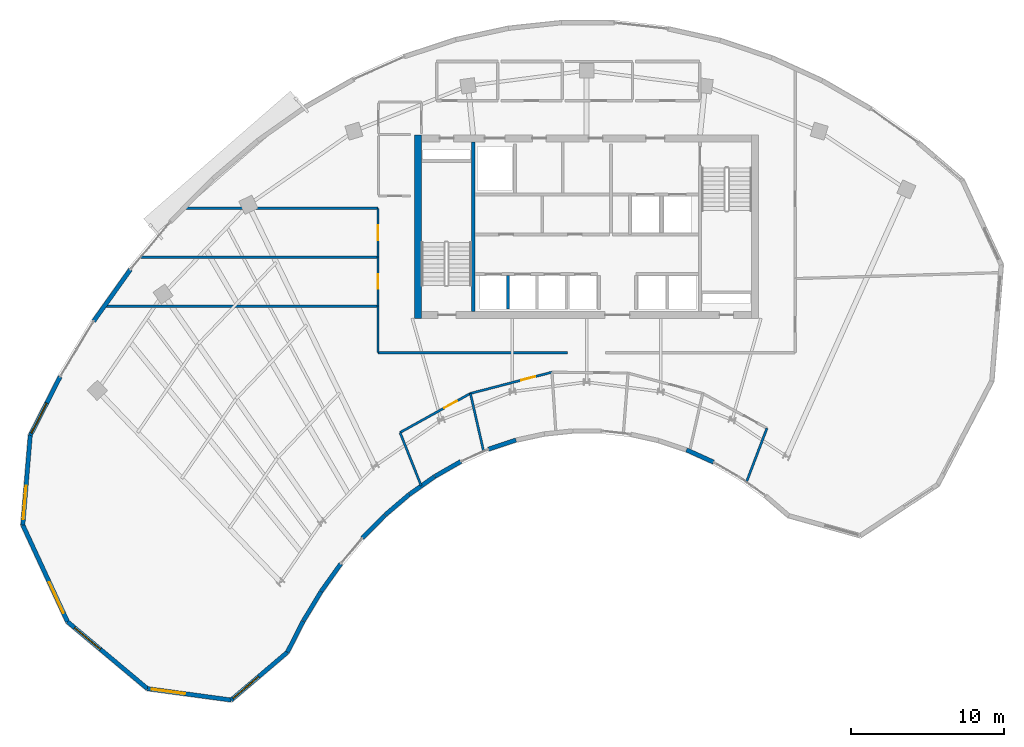
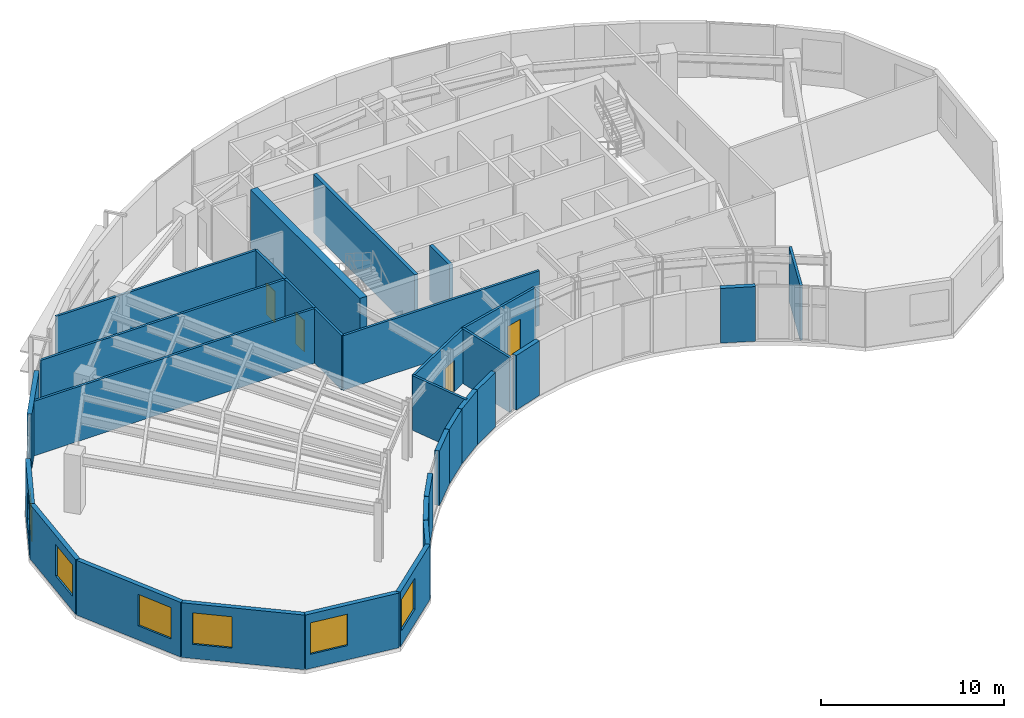
# One storey, part 7 of 12: 31 walls, 6 windows, 4 doors, 10 openings.
"""IFC4 building model written with IfcOpenShell, lengths in metres."""

from ifc_helpers import new_model, si_unit, direction, frame, frame_2d, origin, place, context, subcontext, project, spatial, rectangle, extrude, source, transform, mapped, material, layer, layer_set, type_object, type_shapes, element, fill, save


model = new_model("IFC4")

# Units and contexts
model_context = context("Model", 3, precision=1e-05, world=origin(), true_north=direction((0.0, 1.0)))
body_context = subcontext(model_context, "Body", "Model", "MODEL_VIEW")
ifc_project = project(units=[si_unit("LENGTHUNIT", "METRE"), si_unit("AREAUNIT", "SQUARE_METRE"), si_unit("VOLUMEUNIT", "CUBIC_METRE"), si_unit("PLANEANGLEUNIT", "RADIAN"), si_unit("MASSUNIT", "GRAM", prefix="KILO")], contexts=[model_context])

# Site, building, storey
site_placement = place(None, origin())
site = spatial("IfcSite", under=ifc_project, at=site_placement, CompositionType="ELEMENT")
building_placement = place(site_placement, origin())
building = spatial("IfcBuilding", under=site, at=building_placement, Name="Breltana Convention Tower", CompositionType="ELEMENT")
storey_placement = place(building_placement, frame((0.0, 0.0, 235.199951171875)))
storey = spatial("IfcBuildingStorey", under=building, at=storey_placement, Name="L57", CompositionType="ELEMENT", Elevation=235.199951171875)

# Walls
ifc_material_1 = material(Name="Concrete C60/75", Category="concrete")
ifc_layer_1 = layer(ifc_material_1, 0.449951171875, Name="Concrete C60/75")
ifc_layer_set_1 = layer_set([ifc_layer_1], Name="Concrete C60/75")
wall_type_1 = type_object("IfcWallType", Name="SW-CORE-450", PredefinedType="SHEAR", material=ifc_layer_set_1)
shared_shape_1 = source(origin(), body_context, "Body", "SweptSolid", [
    extrude(rectangle(XDim=12.0, YDim=0.449951171875, at=frame_2d((6.0, 0.0))), origin(), (0.0, 0.0, 1.0), 3.900146484375),
])
wall_1_placement = place(storey_placement, frame((36.97509765625, 60.199951171875, 0.0), z_axis=(0.0, 0.0, 1.0), x_axis=(0.0, 1.0, 0.0)))
element("IfcWall", 1, at=wall_1_placement, inside=storey, type_object=wall_type_1, Name="L57 West Core Shear Wall", PredefinedType="SHEAR", context=body_context, shape_type="MappedRepresentation", body=[
    mapped(shared_shape_1, transform((0.0, 0.0, 0.0), scale=1.0)),
])
ifc_material_2 = material(Name="Concrete C50/60", Category="concrete")
ifc_layer_2 = layer(ifc_material_2, 0.39990234375, Name="Concrete C50/60")
ifc_layer_set_2 = layer_set([ifc_layer_2], Name="Concrete C50/60")
wall_type_2 = type_object("IfcWallType", Name="SW-CORE-400", PredefinedType="SHEAR", material=ifc_layer_set_2)
shared_shape_2 = source(origin(), body_context, "Body", "SweptSolid", [
    extrude(rectangle(XDim=11.10009765625, YDim=0.219970703125, at=frame_2d((5.550048828125, 0.0))), origin(), (0.0, 0.0, 1.0), 3.900146484375),
])
wall_2_placement = place(storey_placement, frame((40.580078125, 60.64990234375, 0.0), z_axis=(0.0, 0.0, 1.0), x_axis=(0.0, 1.0, 0.0)))
element("IfcWall", 2, at=wall_2_placement, inside=storey, type_object=wall_type_2, Name="L57 Core West Stair Spine Wall", PredefinedType="SHEAR", context=body_context, shape_type="MappedRepresentation", body=[
    mapped(shared_shape_2, transform((0.0, 0.0, 0.0), scale=1.0)),
])
ifc_material_3 = material(Name="Limestone Buff Insulated Wall", Category="masonry")
ifc_layer_3 = layer(ifc_material_3, 0.280029296875, Name="Limestone Buff Insulated Wall")
ifc_layer_set_3 = layer_set([ifc_layer_3], Name="Limestone Buff Insulated Wall")
wall_type_3 = type_object("IfcWallType", Name="WL-EXT-NOSE-280", PredefinedType="SOLIDWALL", material=ifc_layer_set_3)
shared_shape_3 = source(origin(), body_context, "Body", "SweptSolid", [
    extrude(rectangle(XDim=1.932861328125, YDim=0.280029296875, at=frame_2d((0.96630859375, 0.0))), origin(), (0.0, 0.0, 1.0), 3.650146484375),
])
wall_3_placement = place(storey_placement, frame((56.2998046875, 50.802001953125, 0.0), z_axis=(0.0, 0.0, 1.0), x_axis=(-0.910478916145, 0.413555489936, 0.0)))
element("IfcWall", 3, at=wall_3_placement, inside=storey, type_object=wall_type_3, Name="L57 curved limestone nose wall E7", PredefinedType="SOLIDWALL", context=body_context, shape_type="MappedRepresentation", body=[
    mapped(shared_shape_3, transform((0.0, 0.0, 0.0), scale=1.0)),
])
shared_shape_4 = source(origin(), body_context, "Body", "SweptSolid", [
    extrude(rectangle(XDim=1.899658203125, YDim=0.280029296875, at=frame_2d((0.94970703125, 0.0))), origin(), (0.0, 0.0, 1.0), 3.650146484375),
])
wall_4_placement = place(storey_placement, frame((43.378173828125, 52.240966796875, 0.0), z_axis=(0.0, 0.0, 1.0), x_axis=(-0.949693643068, -0.313180434121, 0.0)))
element("IfcWall", 4, at=wall_4_placement, inside=storey, type_object=wall_type_3, Name="L57 curved limestone nose wall E13", PredefinedType="SOLIDWALL", context=body_context, shape_type="MappedRepresentation", body=[
    mapped(shared_shape_4, transform((0.0, 0.0, 0.0), scale=1.0)),
])
shared_shape_5 = source(origin(), body_context, "Body", "SweptSolid", [
    extrude(rectangle(XDim=1.968994140625, YDim=0.280029296875, at=frame_2d((0.984375, 0.0))), origin(), (0.0, 0.0, 1.0), 3.650146484375),
])
wall_5_placement = place(storey_placement, frame((39.77880859375, 50.84228515625, 0.0), z_axis=(0.0, 0.0, 1.0), x_axis=(-0.86797594681, -0.496606238139, 0.0)))
element("IfcWall", 5, at=wall_5_placement, inside=storey, type_object=wall_type_3, Name="L57 curved limestone nose wall E14", PredefinedType="SOLIDWALL", context=body_context, shape_type="MappedRepresentation", body=[
    mapped(shared_shape_5, transform((0.0, 0.0, 0.0), scale=1.0)),
])
shared_shape_6 = source(origin(), body_context, "Body", "SweptSolid", [
    extrude(rectangle(XDim=2.011962890625, YDim=0.280029296875, at=frame_2d((1.005859375, 0.0))), origin(), (0.0, 0.0, 1.0), 3.650146484375),
])
wall_6_placement = place(storey_placement, frame((38.055419921875, 49.855224609375, 0.0), z_axis=(0.0, 0.0, 1.0), x_axis=(-0.817008215805, -0.576626027255, 0.0)))
element("IfcWall", 6, at=wall_6_placement, inside=storey, type_object=wall_type_3, Name="L57 curved limestone nose wall E15", PredefinedType="SOLIDWALL", context=body_context, shape_type="MappedRepresentation", body=[
    mapped(shared_shape_6, transform((0.0, 0.0, 0.0), scale=1.0)),
])
shared_shape_7 = source(origin(), body_context, "Body", "SweptSolid", [
    extrude(rectangle(XDim=2.0595703125, YDim=0.280029296875, at=frame_2d((1.02978515625, 0.0))), origin(), (0.0, 0.0, 1.0), 3.650146484375),
])
wall_7_placement = place(storey_placement, frame((36.398681640625, 48.68505859375, 0.0), z_axis=(0.0, 0.0, 1.0), x_axis=(-0.761494573969, -0.648171284319, 0.0)))
element("IfcWall", 7, at=wall_7_placement, inside=storey, type_object=wall_type_3, Name="L57 curved limestone nose wall E16", PredefinedType="SOLIDWALL", context=body_context, shape_type="MappedRepresentation", body=[
    mapped(shared_shape_7, transform((0.0, 0.0, 0.0), scale=1.0)),
])
shared_shape_8 = source(origin(), body_context, "Body", "SweptSolid", [
    extrude(rectangle(XDim=2.109619140625, YDim=0.280029296875, at=frame_2d((1.0546875, 0.0))), origin(), (0.0, 0.0, 1.0), 3.650146484375),
])
wall_8_placement = place(storey_placement, frame((34.819091796875, 47.339599609375, 0.0), z_axis=(0.0, 0.0, 1.0), x_axis=(-0.702695473125, -0.711490739258, 0.0)))
element("IfcWall", 8, at=wall_8_placement, inside=storey, type_object=wall_type_3, Name="L57 curved limestone nose wall E17", PredefinedType="SOLIDWALL", context=body_context, shape_type="MappedRepresentation", body=[
    mapped(shared_shape_8, transform((0.0, 0.0, 0.0), scale=1.0)),
])
shared_shape_9 = source(origin(), body_context, "Body", "SweptSolid", [
    extrude(rectangle(XDim=2.211669921875, YDim=0.280029296875, at=frame_2d((1.10595703125, 0.0))), origin(), (0.0, 0.0, 1.0), 3.650146484375),
])
wall_9_placement = place(storey_placement, frame((31.931396484375, 44.159423828125, 0.0), z_axis=(0.0, 0.0, 1.0), x_axis=(-0.579639452819, -0.814873060504, 0.0)))
element("IfcWall", 9, at=wall_9_placement, inside=storey, type_object=wall_type_3, Name="L57 curved limestone nose wall E18", PredefinedType="SOLIDWALL", context=body_context, shape_type="MappedRepresentation", body=[
    mapped(shared_shape_9, transform((0.0, 0.0, 0.0), scale=1.0)),
])
shared_shape_10 = source(origin(), body_context, "Body", "SweptSolid", [
    extrude(rectangle(XDim=2.260986328125, YDim=0.280029296875, at=frame_2d((1.13037109375, 0.0))), origin(), (0.0, 0.0, 1.0), 3.650146484375),
])
wall_10_placement = place(storey_placement, frame((30.64208984375, 42.345703125, 0.0), z_axis=(0.0, 0.0, 1.0), x_axis=(-0.516891494538, -0.856050923062, 0.0)))
element("IfcWall", 10, at=wall_10_placement, inside=storey, type_object=wall_type_3, Name="L57 curved limestone nose wall E19", PredefinedType="SOLIDWALL", context=body_context, shape_type="MappedRepresentation", body=[
    mapped(shared_shape_10, transform((0.0, 0.0, 0.0), scale=1.0)),
])
shared_shape_11 = source(origin(), body_context, "Body", "SweptSolid", [
    extrude(rectangle(XDim=2.271484375, YDim=0.280029296875, at=frame_2d((1.1357421875, 0.0))), origin(), (0.0, 0.0, 1.0), 3.650146484375),
])
wall_11_placement = place(storey_placement, frame((29.467041015625, 40.39892578125, 0.0), z_axis=(0.0, 0.0, 1.0), x_axis=(-0.453993402883, -0.891005044957, 0.0)))
element("IfcWall", 11, at=wall_11_placement, inside=storey, type_object=wall_type_3, Name="L57 curved limestone nose wall W1", PredefinedType="SOLIDWALL", context=body_context, shape_type="MappedRepresentation", body=[
    mapped(shared_shape_11, transform((0.0, 0.0, 0.0), scale=1.0)),
])

# Wall, opening, window
shared_shape_12 = source(origin(), body_context, "Body", "SweptSolid", [
    extrude(rectangle(XDim=4.830078125, YDim=0.280029296875, at=frame_2d((2.4150390625, 0.0))), origin(), (0.0, 0.0, 1.0), 3.650146484375),
])
wall_12_placement = place(storey_placement, frame((28.435791015625, 38.375, 0.0), z_axis=(0.0, 0.0, 1.0), x_axis=(-0.761890676316, -0.647705640968, 0.0)))
wall_12 = element("IfcWall", 12, at=wall_12_placement, inside=storey, type_object=wall_type_3, Name="L57 curved limestone nose wall W2", PredefinedType="SOLIDWALL", context=body_context, shape_type="MappedRepresentation", body=[
    mapped(shared_shape_12, transform((0.0, 0.0, 0.0), scale=1.0)),
])
opening_1_placement = place(wall_12_placement, frame((2.4697265625, 0.0, 0.949951171875)))
opening_1 = element("IfcOpeningElement", 13, at=opening_1_placement, cuts=wall_12, Name="Opening W-03", PredefinedType="OPENING", context=body_context, shape_type="SweptSolid", body=[
    extrude(rectangle(XDim=2.199951171875, YDim=2.10009765625, at=frame_2d((1.10009765625, 1.050048828125))), frame((0.0, 0.14990234375, 0.0), z_axis=(0.0, -1.0, 0.0), x_axis=(1.0, 0.0, 0.0)), (0.0, 0.0, 1.0), 0.300048828125),
])
ifc_material_4 = material(Name="Glass Low-E Insulated Window", Category="glass")
window_type = type_object("IfcWindowType", Name="WN-NOSE-2200X2100", PartitioningType="TRIPLE_PANEL_VERTICAL", PredefinedType="WINDOW", material=ifc_material_4)
shared_shape_13 = source(origin(), body_context, "Body", "SweptSolid", [
    extrude(rectangle(XDim=2.199951171875, YDim=2.10009765625, at=frame_2d((1.10009765625, 1.050048828125))), frame((0.0, 0.030029296875, 0.0), z_axis=(0.0, -1.0, 0.0), x_axis=(1.0, 0.0, 0.0)), (0.0, 0.0, 1.0), 0.06005859375),
])
type_shapes(window_type, [shared_shape_13])
window_1_placement = place(opening_1_placement, origin())
window_1 = element("IfcWindow", 14, at=window_1_placement, inside=storey, type_object=window_type, Name="L57 nose window W2", OverallHeight=2.10009765625, OverallWidth=2.199951171875, PartitioningType="TRIPLE_PANEL_VERTICAL", PredefinedType="WINDOW", context=body_context, shape_type="MappedRepresentation", body=[
    mapped(shared_shape_13, transform((0.0, 0.0, 0.0), scale=1.0)),
])
fill(opening_1, window_1)

shared_shape_14 = source(origin(), body_context, "Body", "SweptSolid", [
    extrude(rectangle(XDim=5.51953125, YDim=0.280029296875, at=frame_2d((2.759765625, 0.0))), origin(), (0.0, 0.0, 1.0), 3.650146484375),
])
wall_13_placement = place(storey_placement, frame((24.755859375, 35.24658203125, 0.0), z_axis=(0.0, 0.0, 1.0), x_axis=(-0.99093029136, 0.134376923856, 0.0)))
wall_13 = element("IfcWall", 15, at=wall_13_placement, inside=storey, type_object=wall_type_3, Name="L57 curved limestone nose wall W3", PredefinedType="SOLIDWALL", context=body_context, shape_type="MappedRepresentation", body=[
    mapped(shared_shape_14, transform((0.0, 0.0, 0.0), scale=1.0)),
])
opening_2_placement = place(wall_13_placement, frame((3.039794921875, 0.0, 0.949951171875)))
opening_2 = element("IfcOpeningElement", 16, at=opening_2_placement, cuts=wall_13, Name="Opening W-03", PredefinedType="OPENING", context=body_context, shape_type="SweptSolid", body=[
    extrude(rectangle(XDim=2.199951171875, YDim=2.10009765625, at=frame_2d((1.10009765625, 1.050048828125))), frame((0.0, 0.14990234375, 0.0), z_axis=(0.0, -1.0, 0.0), x_axis=(1.0, 0.0, 0.0)), (0.0, 0.0, 1.0), 0.300048828125),
])
window_2_placement = place(opening_2_placement, origin())
window_2 = element("IfcWindow", 17, at=window_2_placement, inside=storey, type_object=window_type, Name="L57 nose window W3", OverallHeight=2.10009765625, OverallWidth=2.199951171875, PartitioningType="TRIPLE_PANEL_VERTICAL", PredefinedType="WINDOW", context=body_context, shape_type="MappedRepresentation", body=[
    mapped(shared_shape_13, transform((0.0, 0.0, 0.0), scale=1.0)),
])
fill(opening_2, window_2)

shared_shape_15 = source(origin(), body_context, "Body", "SweptSolid", [
    extrude(rectangle(XDim=6.81201171875, YDim=0.280029296875, at=frame_2d((3.406005859375, 0.0))), origin(), (0.0, 0.0, 1.0), 3.650146484375),
])
wall_14_placement = place(storey_placement, frame((19.286376953125, 35.98828125, 0.0), z_axis=(0.0, 0.0, 1.0), x_axis=(-0.766712133953, 0.641991046394, 0.0)))
wall_14 = element("IfcWall", 18, at=wall_14_placement, inside=storey, type_object=wall_type_3, Name="L57 curved limestone nose wall W4", PredefinedType="SOLIDWALL", context=body_context, shape_type="MappedRepresentation", body=[
    mapped(shared_shape_15, transform((0.0, 0.0, 0.0), scale=1.0)),
])
opening_3_placement = place(wall_14_placement, frame((4.009033203125, 0.0, 0.949951171875)))
opening_3 = element("IfcOpeningElement", 19, at=opening_3_placement, cuts=wall_14, Name="Opening W-03", PredefinedType="OPENING", context=body_context, shape_type="SweptSolid", body=[
    extrude(rectangle(XDim=2.199951171875, YDim=2.10009765625, at=frame_2d((1.10009765625, 1.050048828125))), frame((0.0, 0.14990234375, 0.0), z_axis=(0.0, -1.0, 0.0), x_axis=(1.0, 0.0, 0.0)), (0.0, 0.0, 1.0), 0.300048828125),
])
window_3_placement = place(opening_3_placement, origin())
window_3 = element("IfcWindow", 20, at=window_3_placement, inside=storey, type_object=window_type, Name="L57 nose window W4", OverallHeight=2.10009765625, OverallWidth=2.199951171875, PartitioningType="TRIPLE_PANEL_VERTICAL", PredefinedType="WINDOW", context=body_context, shape_type="MappedRepresentation", body=[
    mapped(shared_shape_13, transform((0.0, 0.0, 0.0), scale=1.0)),
])
fill(opening_3, window_3)

shared_shape_16 = source(origin(), body_context, "Body", "SweptSolid", [
    extrude(rectangle(XDim=6.976806640625, YDim=0.280029296875, at=frame_2d((3.48828125, 0.0))), origin(), (0.0, 0.0, 1.0), 3.650146484375),
])
wall_15_placement = place(storey_placement, frame((14.0634765625, 40.361572265625, 0.0), z_axis=(0.0, 0.0, 1.0), x_axis=(-0.41966832263, 0.907677530283, 0.0)))
wall_15 = element("IfcWall", 21, at=wall_15_placement, inside=storey, type_object=wall_type_3, Name="L57 curved limestone nose wall W5", PredefinedType="SOLIDWALL", context=body_context, shape_type="MappedRepresentation", body=[
    mapped(shared_shape_16, transform((0.0, 0.0, 0.0), scale=1.0)),
])
opening_4_placement = place(wall_15_placement, frame((0.644287109375, 0.0, 0.949951171875)))
opening_4 = element("IfcOpeningElement", 22, at=opening_4_placement, cuts=wall_15, Name="Opening W-03", PredefinedType="OPENING", context=body_context, shape_type="SweptSolid", body=[
    extrude(rectangle(XDim=2.199951171875, YDim=2.10009765625, at=frame_2d((1.10009765625, 1.050048828125))), frame((0.0, 0.14990234375, 0.0), z_axis=(0.0, -1.0, 0.0), x_axis=(1.0, 0.0, 0.0)), (0.0, 0.0, 1.0), 0.300048828125),
])
window_4_placement = place(opening_4_placement, origin())
window_4 = element("IfcWindow", 23, at=window_4_placement, inside=storey, type_object=window_type, Name="L57 nose window W5", OverallHeight=2.10009765625, OverallWidth=2.199951171875, PartitioningType="TRIPLE_PANEL_VERTICAL", PredefinedType="WINDOW", context=body_context, shape_type="MappedRepresentation", body=[
    mapped(shared_shape_13, transform((0.0, 0.0, 0.0), scale=1.0)),
])
fill(opening_4, window_4)

shared_shape_17 = source(origin(), body_context, "Body", "SweptSolid", [
    extrude(rectangle(XDim=5.880859375, YDim=0.280029296875, at=frame_2d((2.9404296875, 0.0))), origin(), (0.0, 0.0, 1.0), 3.650146484375),
])
wall_16_placement = place(storey_placement, frame((11.135498046875, 46.6943359375, 0.0), z_axis=(0.0, 0.0, 1.0), x_axis=(0.083320333731, 0.996522815588, 0.0)))
wall_16 = element("IfcWall", 24, at=wall_16_placement, inside=storey, type_object=wall_type_3, Name="L57 curved limestone nose wall W6", PredefinedType="SOLIDWALL", context=body_context, shape_type="MappedRepresentation", body=[
    mapped(shared_shape_17, transform((0.0, 0.0, 0.0), scale=1.0)),
])
opening_5_placement = place(wall_16_placement, frame((0.3701171875, 0.0, 0.949951171875)))
opening_5 = element("IfcOpeningElement", 25, at=opening_5_placement, cuts=wall_16, Name="Opening W-03", PredefinedType="OPENING", context=body_context, shape_type="SweptSolid", body=[
    extrude(rectangle(XDim=2.199951171875, YDim=2.10009765625, at=frame_2d((1.10009765625, 1.050048828125))), frame((0.0, 0.14990234375, 0.0), z_axis=(0.0, -1.0, 0.0), x_axis=(1.0, 0.0, 0.0)), (0.0, 0.0, 1.0), 0.300048828125),
])
window_5_placement = place(opening_5_placement, origin())
window_5 = element("IfcWindow", 26, at=window_5_placement, inside=storey, type_object=window_type, Name="L57 nose window W6", OverallHeight=2.10009765625, OverallWidth=2.199951171875, PartitioningType="TRIPLE_PANEL_VERTICAL", PredefinedType="WINDOW", context=body_context, shape_type="MappedRepresentation", body=[
    mapped(shared_shape_13, transform((0.0, 0.0, 0.0), scale=1.0)),
])
fill(opening_5, window_5)

shared_shape_18 = source(origin(), body_context, "Body", "SweptSolid", [
    extrude(rectangle(XDim=4.30126953125, YDim=0.280029296875, at=frame_2d((2.150634765625, 0.0))), origin(), (0.0, 0.0, 1.0), 3.650146484375),
])
wall_17_placement = place(storey_placement, frame((11.62548828125, 52.5546875, 0.0), z_axis=(0.0, 0.0, 1.0), x_axis=(0.454011655096, 0.89099574468, 0.0)))
wall_17 = element("IfcWall", 27, at=wall_17_placement, inside=storey, type_object=wall_type_3, Name="L57 curved limestone nose wall W7", PredefinedType="SOLIDWALL", context=body_context, shape_type="MappedRepresentation", body=[
    mapped(shared_shape_18, transform((0.0, 0.0, 0.0), scale=1.0)),
])
opening_6_placement = place(wall_17_placement, frame((0.159912109375, 0.0, 0.949951171875)))
opening_6 = element("IfcOpeningElement", 28, at=opening_6_placement, cuts=wall_17, Name="Opening W-03", PredefinedType="OPENING", context=body_context, shape_type="SweptSolid", body=[
    extrude(rectangle(XDim=2.199951171875, YDim=2.10009765625, at=frame_2d((1.10009765625, 1.050048828125))), frame((0.0, 0.14990234375, 0.0), z_axis=(0.0, -1.0, 0.0), x_axis=(1.0, 0.0, 0.0)), (0.0, 0.0, 1.0), 0.300048828125),
])
window_6_placement = place(opening_6_placement, origin())
window_6 = element("IfcWindow", 29, at=window_6_placement, inside=storey, type_object=window_type, Name="L57 nose window W7", OverallHeight=2.10009765625, OverallWidth=2.199951171875, PartitioningType="TRIPLE_PANEL_VERTICAL", PredefinedType="WINDOW", context=body_context, shape_type="MappedRepresentation", body=[
    mapped(shared_shape_13, transform((0.0, 0.0, 0.0), scale=1.0)),
])
fill(opening_6, window_6)

# Walls
shared_shape_19 = source(origin(), body_context, "Body", "SweptSolid", [
    extrude(rectangle(XDim=4.14892578125, YDim=0.280029296875, at=frame_2d((2.074462890625, 0.0))), origin(), (0.0, 0.0, 1.0), 3.650146484375),
])
wall_18_placement = place(storey_placement, frame((15.77099609375, 60.018798828125, 0.0), z_axis=(0.0, 0.0, 1.0), x_axis=(0.579622789827, 0.814884913048, 0.0)))
element("IfcWall", 30, at=wall_18_placement, inside=storey, type_object=wall_type_3, Name="L57 curved limestone nose wall E20", PredefinedType="SOLIDWALL", context=body_context, shape_type="MappedRepresentation", body=[
    mapped(shared_shape_19, transform((0.0, 0.0, 0.0), scale=1.0)),
])
ifc_material_5 = material(Name="Autoclaved Aerated Concrete Block", Category="concrete")
ifc_layer_4 = layer(ifc_material_5, 0.199951171875, Name="Autoclaved Aerated Concrete Block")
ifc_layer_set_4 = layer_set([ifc_layer_4], Name="Autoclaved Aerated Concrete Block")
wall_type_4 = type_object("IfcWallType", Name="WL-SHAFT-200", PredefinedType="SOLIDWALL", material=ifc_layer_set_4)
shared_shape_20 = source(origin(), body_context, "Body", "SweptSolid", [
    extrude(rectangle(XDim=2.199951171875, YDim=0.199951171875, at=frame_2d((1.10009765625, 0.0))), origin(), (0.0, 0.0, 1.0), 3.650146484375),
])
wall_19_placement = place(storey_placement, frame((42.8701171875, 60.800048828125, 0.0), z_axis=(0.0, 0.0, 1.0), x_axis=(0.0, 1.0, 0.0)))
element("IfcWall", 31, at=wall_19_placement, inside=storey, type_object=wall_type_4, Name="L57 interior partition W-L57-SH-S-DIV1", PredefinedType="SOLIDWALL", context=body_context, shape_type="MappedRepresentation", body=[
    mapped(shared_shape_20, transform((0.0, 0.0, 0.0), scale=1.0)),
])

# Wall, opening, door
ifc_material_6 = material(Name="Gypsum Acoustic Drywall Partition")
ifc_layer_5 = layer(ifc_material_6, 0.14990234375, Name="Gypsum Acoustic Drywall Partition")
ifc_layer_set_5 = layer_set([ifc_layer_5], Name="Gypsum Acoustic Drywall Partition")
wall_type_5 = type_object("IfcWallType", Name="WL-PART-150", PredefinedType="PARTITIONING", material=ifc_layer_set_5)
shared_shape_21 = source(origin(), body_context, "Body", "SweptSolid", [
    extrude(rectangle(XDim=5.262451171875, YDim=0.14990234375, at=frame_2d((2.63134765625, 0.0))), origin(), (0.0, 0.0, 1.0), 3.650146484375),
])
wall_20_placement = place(storey_placement, frame((35.802978515625, 52.73828125, 0.0), z_axis=(0.0, 0.0, 1.0), x_axis=(0.874365088288, 0.485268680612, 0.0)))
wall_20 = element("IfcWall", 32, at=wall_20_placement, inside=storey, type_object=wall_type_5, Name="L57 interior partition W-L57-ES1-COR", PredefinedType="PARTITIONING", context=body_context, shape_type="MappedRepresentation", body=[
    mapped(shared_shape_21, transform((0.0, 0.0, 0.0), scale=1.0)),
])
opening_7_placement = place(wall_20_placement, frame((3.30615234375, 0.0, 0.0)))
opening_7 = element("IfcOpeningElement", 33, at=opening_7_placement, cuts=wall_20, Name="Opening D-17", PredefinedType="OPENING", context=body_context, shape_type="SweptSolid", body=[
    extrude(rectangle(XDim=0.949951171875, YDim=2.10009765625, at=frame_2d((0.47509765625, 1.050048828125))), frame((0.0, 0.0849609375, 0.0), z_axis=(0.0, -1.0, 0.0), x_axis=(1.0, 0.0, 0.0)), (0.0, 0.0, 1.0), 0.169921875),
])
ifc_material_7 = material(Name="Timber Oak Veneer Door", Category="wood")
door_type = type_object("IfcDoorType", Name="DR-INT-950", OperationType="NOTDEFINED", PredefinedType="DOOR", material=ifc_material_7)
shared_shape_22 = source(origin(), body_context, "Body", "SweptSolid", [
    extrude(rectangle(XDim=0.949951171875, YDim=2.10009765625, at=frame_2d((0.47509765625, 1.050048828125))), frame((0.0, 0.02490234375, 0.0), z_axis=(0.0, -1.0, 0.0), x_axis=(1.0, 0.0, 0.0)), (0.0, 0.0, 1.0), 0.050048828125),
])
type_shapes(door_type, [shared_shape_22])
door_1_placement = place(opening_7_placement, origin())
door_1 = element("IfcDoor", 34, at=door_1_placement, inside=storey, type_object=door_type, Name="L57 interior door D-L57-ES1", OperationType="SINGLE_SWING_LEFT", OverallHeight=2.10009765625, OverallWidth=0.949951171875, PredefinedType="DOOR", context=body_context, shape_type="MappedRepresentation", body=[
    mapped(shared_shape_22, transform((0.0, 0.0, 0.0), scale=1.0)),
])
fill(opening_7, door_1)

# Walls
shared_shape_23 = source(origin(), body_context, "Body", "SweptSolid", [
    extrude(rectangle(XDim=3.7490234375, YDim=0.14990234375, at=frame_2d((1.87451171875, 0.0))), origin(), (0.0, 0.0, 1.0), 3.650146484375),
])
wall_21_placement = place(storey_placement, frame((37.185791015625, 49.253662109375, 0.0), z_axis=(0.0, 0.0, 1.0), x_axis=(-0.368851771682, 0.92948823044, 0.0)))
element("IfcWall", 35, at=wall_21_placement, inside=storey, type_object=wall_type_5, Name="L57 interior partition W-L57-ES1-RA", PredefinedType="PARTITIONING", context=body_context, shape_type="MappedRepresentation", body=[
    mapped(shared_shape_23, transform((0.0, 0.0, 0.0), scale=1.0)),
])
shared_shape_24 = source(origin(), body_context, "Body", "SweptSolid", [
    extrude(rectangle(XDim=3.869384765625, YDim=0.14990234375, at=frame_2d((1.9345703125, 0.0))), origin(), (0.0, 0.0, 1.0), 3.650146484375),
])
wall_22_placement = place(storey_placement, frame((41.264892578125, 51.51953125, 0.0), z_axis=(0.0, 0.0, 1.0), x_axis=(-0.22241189466, 0.974952793274, 0.0)))
element("IfcWall", 36, at=wall_22_placement, inside=storey, type_object=wall_type_5, Name="L57 interior partition W-L57-ES1-RB", PredefinedType="PARTITIONING", context=body_context, shape_type="MappedRepresentation", body=[
    mapped(shared_shape_24, transform((0.0, 0.0, 0.0), scale=1.0)),
])

# Wall, opening, door
shared_shape_25 = source(origin(), body_context, "Body", "SweptSolid", [
    extrude(rectangle(XDim=5.50927734375, YDim=0.14990234375, at=frame_2d((2.754638671875, 0.0))), origin(), (0.0, 0.0, 1.0), 3.650146484375),
])
wall_23_placement = place(storey_placement, frame((40.404296875, 55.2919921875, 0.0), z_axis=(0.0, 0.0, 1.0), x_axis=(0.96771038598, 0.252064691828, 0.0)))
wall_23 = element("IfcWall", 37, at=wall_23_placement, inside=storey, type_object=wall_type_5, Name="L57 interior partition W-L57-ES2-COR", PredefinedType="PARTITIONING", context=body_context, shape_type="MappedRepresentation", body=[
    mapped(shared_shape_25, transform((0.0, 0.0, 0.0), scale=1.0)),
])
opening_8_placement = place(wall_23_placement, frame((3.4296875, 0.0, 0.0)))
opening_8 = element("IfcOpeningElement", 38, at=opening_8_placement, cuts=wall_23, Name="Opening D-17", PredefinedType="OPENING", context=body_context, shape_type="SweptSolid", body=[
    extrude(rectangle(XDim=0.949951171875, YDim=2.10009765625, at=frame_2d((0.47509765625, 1.050048828125))), frame((0.0, 0.0849609375, 0.0), z_axis=(0.0, -1.0, 0.0), x_axis=(1.0, 0.0, 0.0)), (0.0, 0.0, 1.0), 0.169921875),
])
door_2_placement = place(opening_8_placement, origin())
door_2 = element("IfcDoor", 39, at=door_2_placement, inside=storey, type_object=door_type, Name="L57 interior door D-L57-ES2", OperationType="SINGLE_SWING_RIGHT", OverallHeight=2.10009765625, OverallWidth=0.949951171875, PredefinedType="DOOR", context=body_context, shape_type="MappedRepresentation", body=[
    mapped(shared_shape_22, transform((0.0, 0.0, 0.0), scale=1.0)),
])
fill(opening_8, door_2)

# Walls
shared_shape_26 = source(origin(), body_context, "Body", "SweptSolid", [
    extrude(rectangle(XDim=3.75732421875, YDim=0.14990234375, at=frame_2d((1.878662109375, 0.0))), origin(), (0.0, 0.0, 1.0), 3.650146484375),
])
wall_24_placement = place(storey_placement, frame((58.459228515625, 49.5068359375, 0.0), z_axis=(0.0, 0.0, 1.0), x_axis=(0.355427833237, 0.93470372598, 0.0)))
element("IfcWall", 40, at=wall_24_placement, inside=storey, type_object=wall_type_5, Name="L57 interior partition W-L57-ES5-RB", PredefinedType="PARTITIONING", context=body_context, shape_type="MappedRepresentation", body=[
    mapped(shared_shape_26, transform((0.0, 0.0, 0.0), scale=1.0)),
])
shared_shape_27 = source(origin(), body_context, "Body", "SweptSolid", [
    extrude(rectangle(XDim=12.389892578125, YDim=0.14990234375, at=frame_2d((6.19482421875, 0.0))), origin(), (0.0, 0.0, 1.0), 3.650146484375),
])
wall_25_placement = place(storey_placement, frame((34.360107421875, 57.9599609375, 0.0), z_axis=(0.0, 0.0, 1.0), x_axis=(1.0, 0.0, 0.0)))
element("IfcWall", 41, at=wall_25_placement, inside=storey, type_object=wall_type_5, Name="L57 interior partition W-L57-Z45-CSW", PredefinedType="PARTITIONING", context=body_context, shape_type="MappedRepresentation", body=[
    mapped(shared_shape_27, transform((0.0, 0.0, 0.0), scale=1.0)),
])
shared_shape_28 = source(origin(), body_context, "Body", "SweptSolid", [
    extrude(rectangle(XDim=17.87890625, YDim=0.14990234375, at=frame_2d((8.939453125, 0.0))), origin(), (0.0, 0.0, 1.0), 3.650146484375),
])
wall_26_placement = place(storey_placement, frame((16.481201171875, 61.0, 0.0), z_axis=(0.0, 0.0, 1.0), x_axis=(1.0, 0.0, 0.0)))
element("IfcWall", 42, at=wall_26_placement, inside=storey, type_object=wall_type_5, Name="L57 interior partition W-L57-EXW1-N", PredefinedType="PARTITIONING", context=body_context, shape_type="MappedRepresentation", body=[
    mapped(shared_shape_28, transform((0.0, 0.0, 0.0), scale=1.0)),
])
shared_shape_29 = source(origin(), body_context, "Body", "SweptSolid", [
    extrude(rectangle(XDim=3.0400390625, YDim=0.14990234375, at=frame_2d((1.52001953125, 0.0))), origin(), (0.0, 0.0, 1.0), 3.650146484375),
])
wall_27_placement = place(storey_placement, frame((34.360107421875, 57.9599609375, 0.0), z_axis=(0.0, 0.0, 1.0), x_axis=(0.0, 1.0, 0.0)))
element("IfcWall", 43, at=wall_27_placement, inside=storey, type_object=wall_type_5, Name="L57 interior partition W-L57-EXW1-ENT", PredefinedType="PARTITIONING", context=body_context, shape_type="MappedRepresentation", body=[
    mapped(shared_shape_29, transform((0.0, 0.0, 0.0), scale=1.0)),
])
shared_shape_30 = source(origin(), body_context, "Body", "SweptSolid", [
    extrude(rectangle(XDim=15.50146484375, YDim=0.14990234375, at=frame_2d((7.750732421875, 0.0))), origin(), (0.0, 0.0, 1.0), 3.650146484375),
])
wall_28_placement = place(storey_placement, frame((18.858642578125, 64.199951171875, 0.0), z_axis=(0.0, 0.0, 1.0), x_axis=(1.0, 0.0, 0.0)))
element("IfcWall", 44, at=wall_28_placement, inside=storey, type_object=wall_type_5, Name="L57 interior partition W-L57-EXW2-N", PredefinedType="PARTITIONING", context=body_context, shape_type="MappedRepresentation", body=[
    mapped(shared_shape_30, transform((0.0, 0.0, 0.0), scale=1.0)),
])

# Wall, opening, door
shared_shape_31 = source(origin(), body_context, "Body", "SweptSolid", [
    extrude(rectangle(XDim=3.199951171875, YDim=0.14990234375, at=frame_2d((1.60009765625, 0.0))), origin(), (0.0, 0.0, 1.0), 3.650146484375),
])
wall_29_placement = place(storey_placement, frame((34.360107421875, 61.0, 0.0), z_axis=(0.0, 0.0, 1.0), x_axis=(0.0, 1.0, 0.0)))
wall_29 = element("IfcWall", 45, at=wall_29_placement, inside=storey, type_object=wall_type_5, Name="L57 interior partition W-L57-EXW2-ENT", PredefinedType="PARTITIONING", context=body_context, shape_type="MappedRepresentation", body=[
    mapped(shared_shape_31, transform((0.0, 0.0, 0.0), scale=1.0)),
])
opening_9_placement = place(wall_29_placement, frame((1.125, 0.0, 0.0)))
opening_9 = element("IfcOpeningElement", 46, at=opening_9_placement, cuts=wall_29, Name="Opening D-17", PredefinedType="OPENING", context=body_context, shape_type="SweptSolid", body=[
    extrude(rectangle(XDim=0.949951171875, YDim=2.10009765625, at=frame_2d((0.47509765625, 1.050048828125))), frame((0.0, 0.0849609375, 0.0), z_axis=(0.0, -1.0, 0.0), x_axis=(1.0, 0.0, 0.0)), (0.0, 0.0, 1.0), 0.169921875),
])
door_3_placement = place(opening_9_placement, origin())
door_3 = element("IfcDoor", 47, at=door_3_placement, inside=storey, type_object=door_type, Name="L57 interior door D-L57-EXW2", OperationType="SINGLE_SWING_LEFT", OverallHeight=2.10009765625, OverallWidth=0.949951171875, PredefinedType="DOOR", context=body_context, shape_type="MappedRepresentation", body=[
    mapped(shared_shape_22, transform((0.0, 0.0, 0.0), scale=1.0)),
])
fill(opening_9, door_3)

wall_30_placement = place(storey_placement, frame((34.360107421875, 64.199951171875, 0.0), z_axis=(0.0, 0.0, 1.0), x_axis=(0.0, 1.0, 0.0)))
wall_30 = element("IfcWall", 48, at=wall_30_placement, inside=storey, type_object=wall_type_5, Name="L57 interior partition W-L57-EXW3-ENT", PredefinedType="PARTITIONING", context=body_context, shape_type="MappedRepresentation", body=[
    mapped(shared_shape_31, transform((0.0, 0.0, 0.0), scale=1.0)),
])
opening_10_placement = place(wall_30_placement, frame((1.125, 0.0, 0.0)))
opening_10 = element("IfcOpeningElement", 49, at=opening_10_placement, cuts=wall_30, Name="Opening D-17", PredefinedType="OPENING", context=body_context, shape_type="SweptSolid", body=[
    extrude(rectangle(XDim=0.949951171875, YDim=2.10009765625, at=frame_2d((0.47509765625, 1.050048828125))), frame((0.0, 0.0849609375, 0.0), z_axis=(0.0, -1.0, 0.0), x_axis=(1.0, 0.0, 0.0)), (0.0, 0.0, 1.0), 0.169921875),
])
door_4_placement = place(opening_10_placement, origin())
door_4 = element("IfcDoor", 50, at=door_4_placement, inside=storey, type_object=door_type, Name="L57 interior door D-L57-EXW3", OperationType="SINGLE_SWING_RIGHT", OverallHeight=2.10009765625, OverallWidth=0.949951171875, PredefinedType="DOOR", context=body_context, shape_type="MappedRepresentation", body=[
    mapped(shared_shape_22, transform((0.0, 0.0, 0.0), scale=1.0)),
])
fill(opening_10, door_4)

# Wall
shared_shape_32 = source(origin(), body_context, "Body", "SweptSolid", [
    extrude(rectangle(XDim=12.68798828125, YDim=0.14990234375, at=frame_2d((6.343994140625, 0.0))), origin(), (0.0, 0.0, 1.0), 3.650146484375),
])
wall_31_placement = place(storey_placement, frame((21.672119140625, 67.39990234375, 0.0), z_axis=(0.0, 0.0, 1.0), x_axis=(1.0, 0.0, 0.0)))
element("IfcWall", 51, at=wall_31_placement, inside=storey, type_object=wall_type_5, Name="L57 interior partition W-L57-EXW3-N", PredefinedType="PARTITIONING", context=body_context, shape_type="MappedRepresentation", body=[
    mapped(shared_shape_32, transform((0.0, 0.0, 0.0), scale=1.0)),
])

save(model, "model.ifc")
